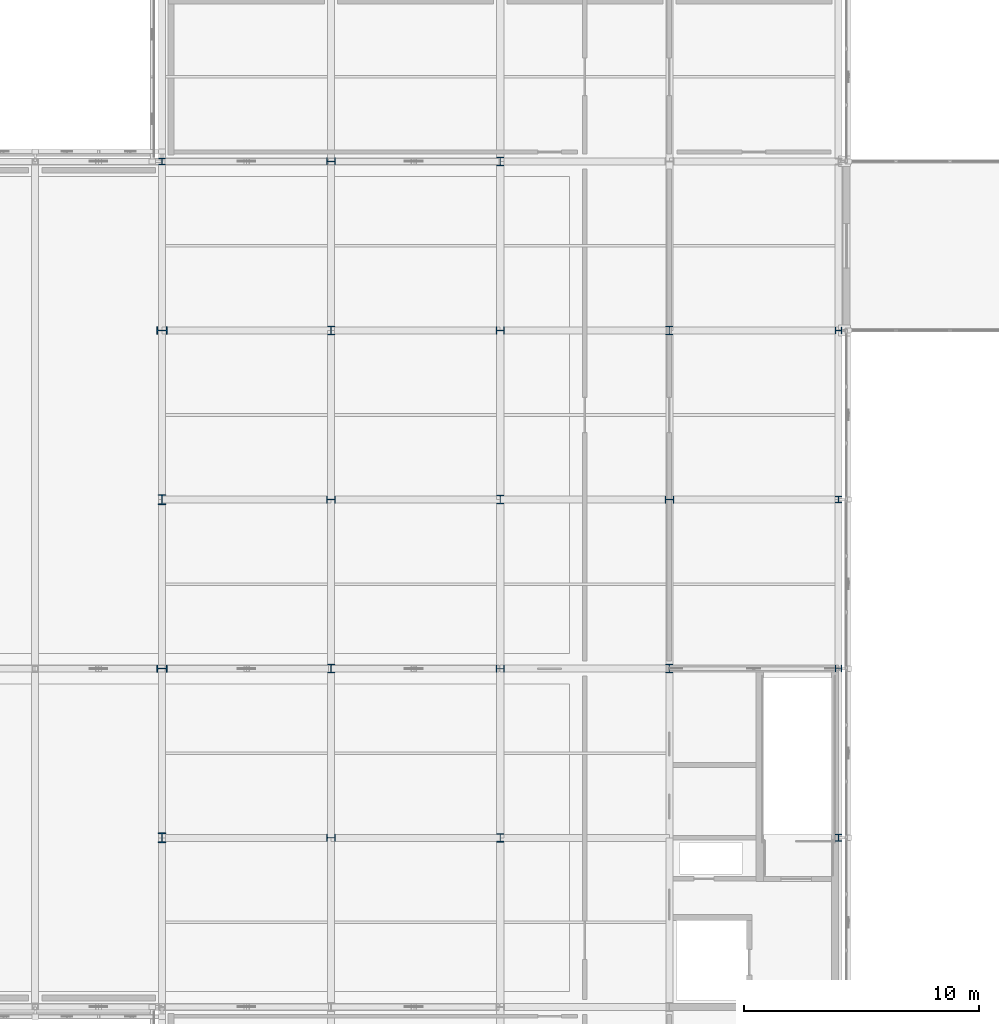
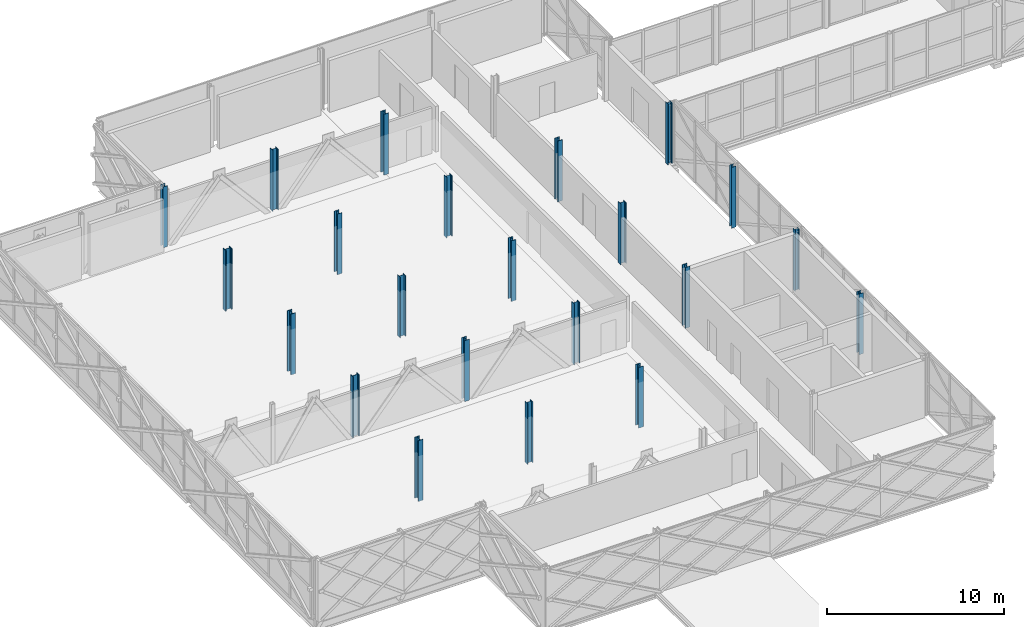
# One storey, part 6 of 103: 22 columns.
"""IFC4 building model written with IfcOpenShell, lengths in metres."""

import ifcopenshell
import ifcopenshell.guid

model = None  # the IFC model being written
_history = None  # IfcOwnerHistory: only IFC2X3 demands one
_inside = {}  # id of a spatial element -> (the spatial element, [elements in it])
_under = {}  # id of a project, library or spatial element -> (it, [spatial elements below it])
_declared = {}  # id of a project -> (the project, [libraries it declares])
_typed = {}  # id of a type object -> (the type object, [elements of that type])
_made_of = {}  # id of a material, layer set ... -> (it, [elements and type objects made of it])


def new_model(schema):
    """Start an empty IFC model of exactly this schema.

    Asked for "IFC4X3", IfcOpenShell would pick the latest addendum, in which some entities
    have other attributes; the version numbers below select the first issue.
    IFC2X3 requires an IfcOwnerHistory on every rooted entity: one is made here for all.
    """
    global model, _history
    if schema == "IFC4X3":
        model = ifcopenshell.file(schema_version=(4, 3, 0, 0))
    else:
        model = ifcopenshell.file(schema=schema)
    _inside.clear()
    _under.clear()
    _declared.clear()
    _typed.clear()
    _made_of.clear()
    _history = None
    if model.schema == "IFC2X3":
        org = make("IfcOrganization", Name="unknown")
        user = make(
            "IfcPersonAndOrganization",
            ThePerson=make("IfcPerson", FamilyName="unknown"),
            TheOrganization=org,
        )
        app = make(
            "IfcApplication",
            ApplicationDeveloper=org,
            Version="unknown",
            ApplicationFullName="unknown",
            ApplicationIdentifier="unknown",
        )
        _history = make(
            "IfcOwnerHistory",
            OwningUser=user,
            OwningApplication=app,
            ChangeAction="ADDED",
            CreationDate=0,
        )
    return model


def make(cls, **values):
    """One entity of the class cls with the attributes given. An attribute that is None is left unset."""
    return model.create_entity(
        cls, **{name: value for name, value in values.items() if value is not None}
    )


def rooted(cls, **values):
    """An entity with a GlobalId (a new one), such as an element, a storey or a relation."""
    return make(cls, GlobalId=ifcopenshell.guid.new(), OwnerHistory=_history, **values)


def si_unit(unit_type, name, prefix=None):
    """IfcSIUnit, for example si_unit("LENGTHUNIT", "METRE", prefix="MILLI")."""
    return make("IfcSIUnit", UnitType=unit_type, Prefix=prefix, Name=name)


def assignment(units):
    """IfcUnitAssignment: the units of a project."""
    return None if units is None else make("IfcUnitAssignment", Units=units)


def point(xyz):
    """IfcCartesianPoint."""
    return None if xyz is None else make("IfcCartesianPoint", Coordinates=xyz)


def direction(xyz):
    """IfcDirection."""
    return None if xyz is None else make("IfcDirection", DirectionRatios=xyz)


def frame(location, z_axis=None, x_axis=None):
    """IfcAxis2Placement3D, a coordinate frame: its origin and axes. An axis left out is left unset."""
    return make(
        "IfcAxis2Placement3D",
        Location=point(location),
        Axis=direction(z_axis),
        RefDirection=direction(x_axis),
    )


def frame_2d(location, x_axis=None):
    """IfcAxis2Placement2D, a coordinate frame in the plane: its origin and x axis."""
    return make(
        "IfcAxis2Placement2D", Location=point(location), RefDirection=direction(x_axis)
    )


def origin():
    """The frame at (0, 0, 0) with its axes left unset."""
    return frame((0.0, 0.0, 0.0))


def origin_2d():
    """The frame at (0, 0) in the plane with its x axis left unset."""
    return frame_2d((0.0, 0.0))


def place(relative_to, where):
    """IfcLocalPlacement: puts the frame where relative to a parent placement (None: the world)."""
    return make(
        "IfcLocalPlacement", PlacementRelTo=relative_to, RelativePlacement=where
    )


def context(
    kind, dimensions, precision=None, world=None, true_north=None, identifier=None
):
    """IfcGeometricRepresentationContext, for example the 3D "Model" context."""
    return make(
        "IfcGeometricRepresentationContext",
        ContextIdentifier=identifier,
        ContextType=kind,
        CoordinateSpaceDimension=dimensions,
        Precision=precision,
        WorldCoordinateSystem=world,
        TrueNorth=true_north,
    )


def subcontext(parent, identifier, kind, view, scale=None):
    """IfcGeometricRepresentationSubContext, for example "Body" below "Model"."""
    return make(
        "IfcGeometricRepresentationSubContext",
        ContextIdentifier=identifier,
        ContextType=kind,
        ParentContext=parent,
        TargetScale=scale,
        TargetView=view,
    )


def project(units=None, contexts=None):
    """IfcProject with its units and contexts."""
    return rooted(
        "IfcProject",
        Name="project",
        RepresentationContexts=contexts,
        UnitsInContext=assignment(units),
    )


def spatial(cls, under=None, at=None, **own):
    """A site, building, storey or space (cls), placed at a placement, below another one or the project."""
    s = rooted(cls, ObjectPlacement=at, **own)
    if under is not None:
        _under.setdefault(under.id(), (under, []))[1].append(s)
    return s


def profile(cls, at=None, kind="AREA", **sizes):
    """A parametric profile (cls). Its sizes go by their IFC names, for example OverallWidth=200.0."""
    return make(cls, ProfileType=kind, Position=at, **sizes)


def i_section(**sizes):
    """IfcIShapeProfileDef."""
    return profile("IfcIShapeProfileDef", **sizes)


def extrude(swept, where, along, depth):
    """IfcExtrudedAreaSolid: the profile swept, set in the frame where, extruded along a direction by depth."""
    return make(
        "IfcExtrudedAreaSolid",
        SweptArea=swept,
        Position=where,
        ExtrudedDirection=direction(along),
        Depth=depth,
    )


def shape(context_of_items, identifier, shape_type, items):
    """IfcShapeRepresentation: the items that make up one representation, for example the "Body"."""
    return make(
        "IfcShapeRepresentation",
        ContextOfItems=context_of_items,
        RepresentationIdentifier=identifier,
        RepresentationType=shape_type,
        Items=items,
    )


def material(Name=None, Category=None):
    """IfcMaterial."""
    return make("IfcMaterial", Name=Name, Category=Category)


def material_profile(
    of_material, cross_section, Name=None, Category=None, Priority=None
):
    """IfcMaterialProfile: a cross section and its material."""
    return make(
        "IfcMaterialProfile",
        Name=Name,
        Material=of_material,
        Profile=cross_section,
        Priority=Priority,
        Category=Category,
    )


def profile_set(profiles, Name=None, composite=None):
    """IfcMaterialProfileSet."""
    return make(
        "IfcMaterialProfileSet",
        Name=Name,
        MaterialProfiles=profiles,
        CompositeProfile=composite,
    )


def made_of(thing, what):
    """Note that an element or type object is made of a material, layer set ...; save() writes the relation."""
    if what is not None:
        _made_of.setdefault(what.id(), (what, []))[1].append(thing)
    return thing


def type_object(cls, material=None, **own):
    """A type object (cls), such as IfcWallType, which elements share."""
    return made_of(rooted(cls, **own), material)


def element(
    cls,
    number,
    at=None,
    inside=None,
    cuts=None,
    type_object=None,
    material=None,
    context=None,
    identifier="Body",
    shape_type=None,
    held_by="IfcProductDefinitionShape",
    body=None,
    shapes=None,
    **own,
):
    """One element of the class cls, such as IfcWall. Its Tag is "e" and its number.

    at: its placement. inside: the storey or other place that contains it. cuts: it is an
    opening in that element (IfcRelVoidsElement). A single representation is given by context,
    identifier, shape_type and body (its items); several are given by shapes. held_by: the class
    of the entity that holds the representations. save() writes the other relations.
    """
    e = rooted(cls, Tag="e%d" % number, ObjectPlacement=at, **own)
    if body is not None:
        shapes = [shape(context, identifier, shape_type, body)]
    if shapes is not None:
        e.Representation = make(held_by, Representations=shapes)
    if inside is not None:
        _inside.setdefault(inside.id(), (inside, []))[1].append(e)
    if cuts is not None:
        rooted(
            "IfcRelVoidsElement", RelatingBuildingElement=cuts, RelatedOpeningElement=e
        )
    if type_object is not None:
        _typed.setdefault(type_object.id(), (type_object, []))[1].append(e)
    return made_of(e, material)


def aggregate(whole, parts):
    """IfcRelAggregates: a whole, such as a stair, and the parts it consists of."""
    return rooted("IfcRelAggregates", RelatingObject=whole, RelatedObjects=parts)


def save(model, path):
    """Write the relations noted so far, then the file.

    IfcRelAggregates (storeys below a building ...), IfcRelContainedInSpatialStructure (elements
    in a storey), IfcRelDefinesByType, IfcRelAssociatesMaterial and IfcRelDeclares: one each for
    every whole, place, type object, material and project.
    """
    for whole, parts in _under.values():
        aggregate(whole, parts)
    for where, things in _inside.values():
        rooted(
            "IfcRelContainedInSpatialStructure",
            RelatedElements=things,
            RelatingStructure=where,
        )
    for kind, things in _typed.values():
        rooted("IfcRelDefinesByType", RelatedObjects=things, RelatingType=kind)
    for what, things in _made_of.values():
        rooted("IfcRelAssociatesMaterial", RelatedObjects=things, RelatingMaterial=what)
    for by, libraries in _declared.values():
        rooted("IfcRelDeclares", RelatingContext=by, RelatedDefinitions=libraries)
    model.write(path)


model = new_model("IFC4")

# Units and contexts
model_context = context("Model", 3, precision=1e-05, world=origin(), true_north=direction((0.0, 1.0)))
body_context = subcontext(model_context, "Body", "Model", "MODEL_VIEW")
ifc_project = project(units=[si_unit("LENGTHUNIT", "METRE"), si_unit("AREAUNIT", "SQUARE_METRE"), si_unit("VOLUMEUNIT", "CUBIC_METRE"), si_unit("PLANEANGLEUNIT", "RADIAN"), si_unit("MASSUNIT", "GRAM", prefix="KILO")], contexts=[model_context])

# Site, building, storey
site_placement = place(None, origin())
site = spatial("IfcSite", under=ifc_project, at=site_placement, CompositionType="ELEMENT")
building_placement = place(site_placement, origin())
building = spatial("IfcBuilding", under=site, at=building_placement, Name="Zlatovets Crest Museum", CompositionType="ELEMENT")
storey_placement = place(building_placement, frame((0.0, 0.0, 12.89990234375)))
storey = spatial("IfcBuildingStorey", under=building, at=storey_placement, Name="L03", CompositionType="ELEMENT", Elevation=12.89990234375)

# Columns
ifc_material = material(Name="Structural steel S355J2", Category="steel")
ifc_material_profile_1 = material_profile(ifc_material, i_section(OverallWidth=0.300048828125, OverallDepth=0.360107421875, WebThickness=0.012451171875, FlangeThickness=0.0224609375, FilletRadius=0.027099609375, at=origin_2d()), Name="HEB 360")
ifc_profile_set_1 = profile_set([ifc_material_profile_1], Name="Structural steel S355J2")
column_type_1 = type_object("IfcColumnType", Name="Col_C-08", PredefinedType="COLUMN", material=ifc_profile_set_1)
for number, where, z_axis, x_axis, name in (
    (1, (14.39990234375, 64.800048828125, 0.0), (0.0, 0.0, 1.0), (0.0, 1.0, 0.0), "V4 L03 Column (14.4, 64.8)"),
    (2, (14.39990234375, 72.0, 0.0), (0.0, 0.0, 1.0), (1.0, 0.0, 0.0), "V4 L03 Column (14.4, 72.0)"),
    (3, (14.39990234375, 79.199951171875, 0.0), (0.0, 0.0, 1.0), (0.0, 1.0, 0.0), "V4 L03 Column (14.4, 79.2)"),
    (4, (14.39990234375, 86.39990234375, 0.0), (0.0, 0.0, 1.0), (1.0, 0.0, 0.0), "V4 L03 Column (14.4, 86.4)"),
    (5, (14.39990234375, 93.60009765625, 0.0), (0.0, 0.0, 1.0), (0.0, 1.0, 0.0), "V4 L03 Column (14.4, 93.6)"),
    (6, (21.60009765625, 64.800048828125, 0.0), (0.0, 0.0, 1.0), (1.0, 0.0, 0.0), "V4 L03 Column (21.6, 64.8)"),
    (7, (21.60009765625, 72.0, 0.0), (0.0, 0.0, 1.0), (0.0, 1.0, 0.0), "V4 L03 Column (21.6, 72.0)"),
    (8, (21.60009765625, 79.199951171875, 0.0), (0.0, 0.0, 1.0), (1.0, 0.0, 0.0), "V4 L03 Column (21.6, 79.2)"),
    (9, (21.60009765625, 86.39990234375, 0.0), (0.0, 0.0, 1.0), (0.0, 1.0, 0.0), "V4 L03 Column (21.6, 86.4)"),
    (10, (21.60009765625, 93.60009765625, 0.0), (0.0, 0.0, 1.0), (1.0, 0.0, 0.0), "V4 L03 Column (21.6, 93.6)"),
    (11, (28.800048828125, 72.0, 0.0), (0.0, 0.0, 1.0), (1.0, 0.0, 0.0), "V4 L03 Column (28.8, 72.0)"),
    (12, (28.800048828125, 79.199951171875, 0.0), (0.0, 0.0, 1.0), (0.0, 1.0, 0.0), "V4 L03 Column (28.8, 79.2)"),
    (13, (28.800048828125, 86.39990234375, 0.0), (0.0, 0.0, 1.0), (1.0, 0.0, 0.0), "V4 L03 Column (28.8, 86.4)"),
):
    element("IfcColumn", number, at=place(storey_placement, frame(where, z_axis=z_axis, x_axis=x_axis)), inside=storey, type_object=column_type_1, Name=name, PredefinedType="COLUMN", context=body_context, shape_type="SweptSolid", body=[
        extrude(i_section(OverallWidth=0.300048828125, OverallDepth=0.360107421875, WebThickness=0.012451171875, FlangeThickness=0.0224609375, FilletRadius=0.027099609375, at=origin_2d()), origin(), (0.0, 0.0, 1.0), 4.2001953125),
    ])
ifc_material_profile_2 = material_profile(ifc_material, i_section(OverallWidth=0.306884765625, OverallDepth=0.431884765625, WebThickness=0.02099609375, FlangeThickness=0.0400390625, FilletRadius=0.027099609375, at=origin_2d()), Name="HEM 400")
ifc_profile_set_2 = profile_set([ifc_material_profile_2], Name="Structural steel S355J2")
column_type_2 = type_object("IfcColumnType", Name="Col_C-11", PredefinedType="COLUMN", material=ifc_profile_set_2)
for number, where, z_axis, x_axis, name in (
    (14, (7.199951171875, 64.800048828125, 0.0), (0.0, 0.0, 1.0), (1.0, 0.0, 0.0), "V4 L03 Column (7.2, 64.8)"),
    (15, (7.199951171875, 72.0, 0.0), (0.0, 0.0, 1.0), (0.0, 1.0, 0.0), "V4 L03 Column (7.2, 72.0)"),
    (16, (7.199951171875, 79.199951171875, 0.0), (0.0, 0.0, 1.0), (1.0, 0.0, 0.0), "V4 L03 Column (7.2, 79.2)"),
    (17, (7.199951171875, 86.39990234375, 0.0), (0.0, 0.0, 1.0), (0.0, 1.0, 0.0), "V4 L03 Column (7.2, 86.4)"),
):
    element("IfcColumn", number, at=place(storey_placement, frame(where, z_axis=z_axis, x_axis=x_axis)), inside=storey, type_object=column_type_2, Name=name, PredefinedType="COLUMN", context=body_context, shape_type="SweptSolid", body=[
        extrude(i_section(OverallWidth=0.306884765625, OverallDepth=0.431884765625, WebThickness=0.02099609375, FlangeThickness=0.0400390625, FilletRadius=0.027099609375, at=origin_2d()), origin(), (0.0, 0.0, 1.0), 4.2001953125),
    ])
ifc_material_profile_3 = material_profile(ifc_material, i_section(OverallWidth=0.280029296875, OverallDepth=0.280029296875, WebThickness=0.010498046875, FlangeThickness=0.01806640625, FilletRadius=0.02392578125, at=origin_2d()), Name="HEB 280")
ifc_profile_set_3 = profile_set([ifc_material_profile_3], Name="Structural steel S355J2")
column_type_3 = type_object("IfcColumnType", Name="Col_C-17", PredefinedType="COLUMN", material=ifc_profile_set_3)
for number, where, z_axis, x_axis, name in (
    (18, (7.199951171875, 93.60009765625, 0.0), (0.0, 0.0, 1.0), (1.0, 0.0, 0.0), "V4 L03 Column (7.2, 93.6)"),
    (19, (36.0, 64.800048828125, 0.0), (0.0, 0.0, 1.0), (1.0, 0.0, 0.0), "V4 L03 Column (36.0, 64.8)"),
    (20, (36.0, 72.0, 0.0), (0.0, 0.0, 1.0), (0.0, 1.0, 0.0), "V4 L03 Column (36.0, 72.0)"),
    (21, (36.0, 79.199951171875, 0.0), (0.0, 0.0, 1.0), (1.0, 0.0, 0.0), "V4 L03 Column (36.0, 79.2)"),
    (22, (36.0, 86.39990234375, 0.0), (0.0, 0.0, 1.0), (0.0, 1.0, 0.0), "V4 L03 Column (36.0, 86.4)"),
):
    element("IfcColumn", number, at=place(storey_placement, frame(where, z_axis=z_axis, x_axis=x_axis)), inside=storey, type_object=column_type_3, Name=name, PredefinedType="COLUMN", context=body_context, shape_type="SweptSolid", body=[
        extrude(i_section(OverallWidth=0.280029296875, OverallDepth=0.280029296875, WebThickness=0.010498046875, FlangeThickness=0.01806640625, FilletRadius=0.02392578125, at=origin_2d()), origin(), (0.0, 0.0, 1.0), 4.2001953125),
    ])

save(model, "model.ifc")
